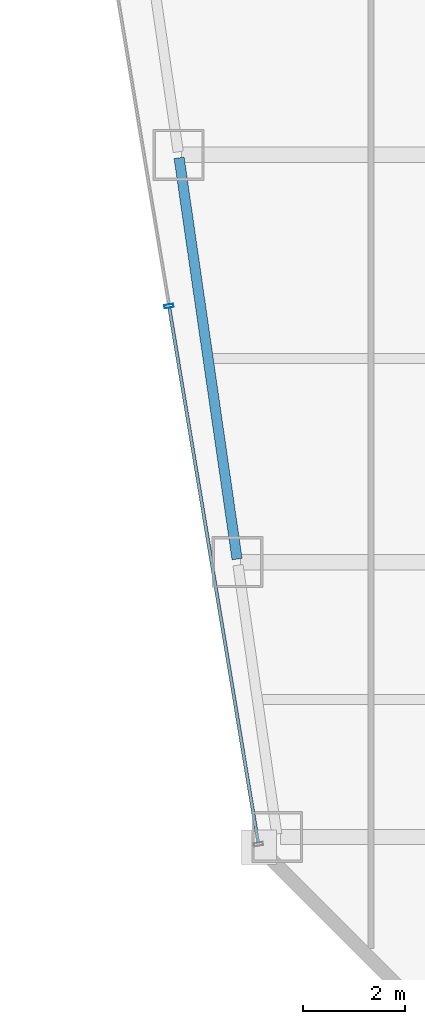
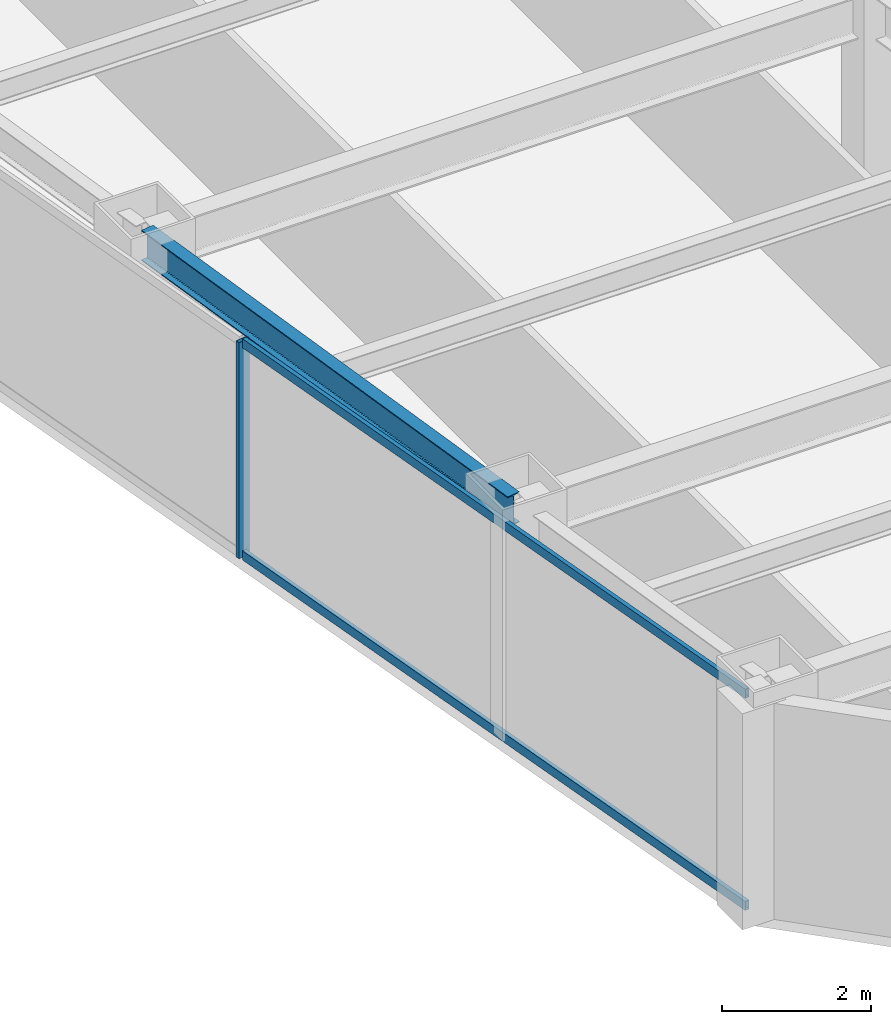
# One storey, part 3 of 38: 3 members, 1 beam, 1 element without a shape of its own.
"""IFC4 building model written with IfcOpenShell, lengths in metres."""

from ifc_helpers import new_model, si_unit, direction, frame, origin, origin_2d, place, context, subcontext, project, spatial, hollow_rectangle, i_section, extrude, material, material_profile, profile_set, type_object, element, aggregate, save


model = new_model("IFC4")

# Units and contexts
model_context = context("Model", 3, precision=1e-05, world=origin(), true_north=direction((0.0, 1.0)))
body_context = subcontext(model_context, "Body", "Model", "MODEL_VIEW")
ifc_project = project(units=[si_unit("LENGTHUNIT", "METRE"), si_unit("AREAUNIT", "SQUARE_METRE"), si_unit("VOLUMEUNIT", "CUBIC_METRE"), si_unit("PLANEANGLEUNIT", "RADIAN"), si_unit("MASSUNIT", "GRAM", prefix="KILO")], contexts=[model_context])

# Site, building, storey
site_placement = place(None, origin())
site = spatial("IfcSite", under=ifc_project, at=site_placement, CompositionType="ELEMENT")
building_placement = place(site_placement, origin())
building = spatial("IfcBuilding", under=site, at=building_placement, Name="Saevonmaru Cultural Tower", CompositionType="ELEMENT")
storey_placement = place(building_placement, frame((0.0, 0.0, 133.39990234375)))
storey = spatial("IfcBuildingStorey", under=building, at=storey_placement, Name="L28", CompositionType="ELEMENT", Elevation=133.39990234375)

# Beam
ifc_material_1 = material(Name="Steel SM355", Category="steel")
ifc_material_profile_1 = material_profile(ifc_material_1, i_section(OverallWidth=0.199951171875, OverallDepth=0.5, WebThickness=0.010009765625, FlangeThickness=0.01611328125, FilletRadius=0.02001953125, at=origin_2d()), Name="H-500x200x10x16")
ifc_profile_set_1 = profile_set([ifc_material_profile_1], Name="Steel SM355")
beam_type = type_object("IfcBeamType", Name="BM-SP-H500", PredefinedType="SPANDREL", material=ifc_profile_set_1)
beam_placement = place(storey_placement, frame((10.619384765625, 16.059326171875, 3.300048828125), z_axis=(-0.142992129437, 0.989723825579, 0.0), x_axis=(-0.989723825579, -0.142992129437, 0.0)))
element("IfcBeam", 1, at=beam_placement, inside=storey, type_object=beam_type, Name="L28 West Splayed Spandrel 2", PredefinedType="SPANDREL", context=body_context, shape_type="SweptSolid", body=[
    extrude(i_section(OverallWidth=0.199951171875, OverallDepth=0.5, WebThickness=0.010009765625, FlangeThickness=0.01611328125, FilletRadius=0.02001953125, at=origin_2d()), origin(), (0.0, 0.0, 1.0), 7.963134765625),
])

# Curtain wall, members
ifc_material_2 = material(Name="Satin Bronze Anodised Aluminium", Category="aluminium")
curtain_wall_type = type_object("IfcCurtainWallType", Name="CW-TYP-A", PredefinedType="NOTDEFINED", material=ifc_material_2)
curtain_wall_placement = place(storey_placement, origin())
curtain_wall = element("IfcCurtainWall", 2, at=curtain_wall_placement, inside=storey, type_object=curtain_wall_type, Name="L28 Unitised Curtain Wall E12", PredefinedType="NOTDEFINED")
ifc_material_profile_2 = material_profile(ifc_material_2, hollow_rectangle(XDim=0.06494140625, YDim=0.179931640625, WallThickness=0.00390625, at=origin_2d()), Name="ALU-MULL-180x65x4")
ifc_profile_set_2 = profile_set([ifc_material_profile_2], Name="Satin Bronze Anodised Aluminium")
member_type_1 = type_object("IfcMemberType", Name="ML-CW-180x65", PredefinedType="MULLION", material=ifc_profile_set_2)
member_1_placement = place(storey_placement, frame((9.28173828125, 21.029541015625, 0.0), z_axis=(0.0, 0.0, 1.0), x_axis=(0.163998702345, -0.986460554523, 0.0)))
member_1 = element("IfcMember", 3, at=member_1_placement, type_object=member_type_1, Name="CW-TW-L28-E12 mullion 4", PredefinedType="MULLION", context=body_context, shape_type="SweptSolid", body=[
    extrude(hollow_rectangle(XDim=0.06494140625, YDim=0.179931640625, WallThickness=0.00390625, at=origin_2d()), origin(), (0.0, 0.0, 1.0), 3.550048828125),
])
ifc_material_profile_3 = material_profile(ifc_material_2, hollow_rectangle(XDim=0.06494140625, YDim=0.14990234375, WallThickness=0.00390625, at=origin_2d()), Name="ALU-TRAN-150x65x4")
ifc_profile_set_3 = profile_set([ifc_material_profile_3], Name="Satin Bronze Anodised Aluminium")
member_type_2 = type_object("IfcMemberType", Name="TR-CW-150x65", PredefinedType="USERDEFINED", material=ifc_profile_set_3)
member_2_placement = place(storey_placement, frame((9.287109375, 20.99755859375, 0.03271484375), z_axis=(0.163990079074, -0.9864619881, 0.0), x_axis=(0.9864619881, 0.163990079074, 0.0)))
member_2 = element("IfcMember", 4, at=member_2_placement, type_object=member_type_2, Name="CW-TW-L28-E12 transom 4.1", ObjectType="TRANSOM", PredefinedType="USERDEFINED", context=body_context, shape_type="SweptSolid", body=[
    extrude(hollow_rectangle(XDim=0.06494140625, YDim=0.14990234375, WallThickness=0.00390625, at=origin_2d()), origin(), (0.0, 0.0, 1.0), 10.650634765625),
])
member_3_placement = place(storey_placement, frame((9.287109375, 20.99755859375, 3.517578125), z_axis=(0.163990079074, -0.9864619881, 0.0), x_axis=(0.9864619881, 0.163990079074, 0.0)))
member_3 = element("IfcMember", 5, at=member_3_placement, type_object=member_type_2, Name="CW-TW-L28-E12 transom 4.2", ObjectType="TRANSOM", PredefinedType="USERDEFINED", context=body_context, shape_type="SweptSolid", body=[
    extrude(hollow_rectangle(XDim=0.06494140625, YDim=0.14990234375, WallThickness=0.00390625, at=origin_2d()), origin(), (0.0, 0.0, 1.0), 10.650634765625),
])
aggregate(curtain_wall, [member_1, member_2, member_3])

save(model, "model.ifc")
